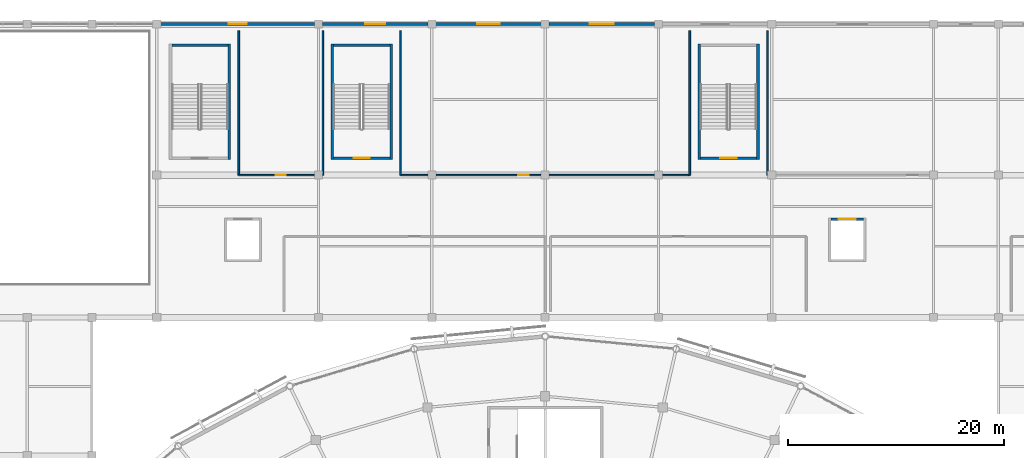
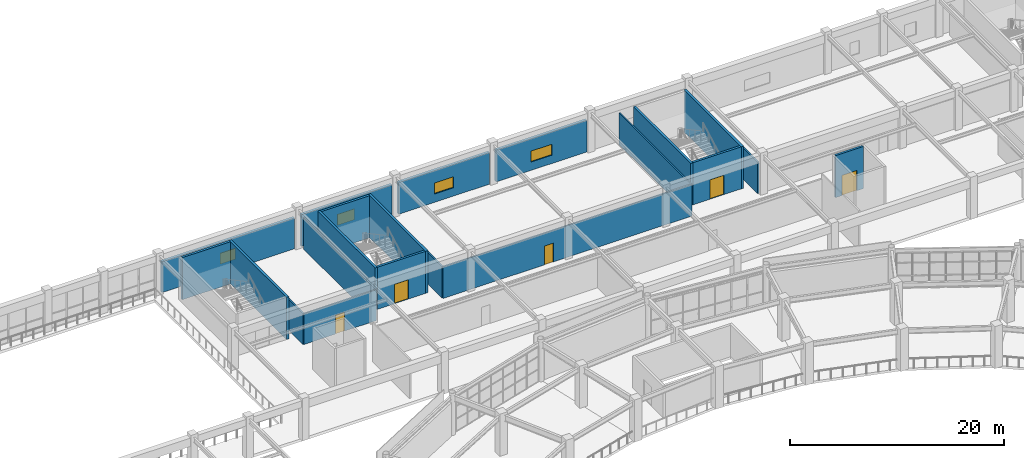
# One storey, part 91 of 112: 21 walls, 5 doors, 4 windows, 9 openings.
"""IFC4 building model written with IfcOpenShell, lengths in metres."""

from ifc_helpers import new_model, si_unit, direction, frame, frame_2d, origin, place, context, subcontext, project, spatial, rectangle, extrude, material, layer, layer_set, type_object, element, fill, save


model = new_model("IFC4")

# Units and contexts
model_context = context("Model", 3, precision=1e-05, world=origin(), true_north=direction((0.0, 1.0)))
body_context = subcontext(model_context, "Body", "Model", "MODEL_VIEW")
ifc_project = project(units=[si_unit("LENGTHUNIT", "METRE"), si_unit("AREAUNIT", "SQUARE_METRE"), si_unit("VOLUMEUNIT", "CUBIC_METRE"), si_unit("PLANEANGLEUNIT", "RADIAN"), si_unit("MASSUNIT", "GRAM", prefix="KILO")], contexts=[model_context])

# Site, building, storey
site_placement = place(None, origin())
site = spatial("IfcSite", under=ifc_project, at=site_placement, CompositionType="ELEMENT")
building_placement = place(site_placement, origin())
building = spatial("IfcBuilding", under=site, at=building_placement, Name="Cuetzalor Civic Arena", CompositionType="ELEMENT")
storey_placement = place(building_placement, frame((0.0, 0.0, 11.39990234375)))
storey = spatial("IfcBuildingStorey", under=building, at=storey_placement, Name="L02", CompositionType="ELEMENT", Elevation=11.39990234375)

# Wall, opening, door
ifc_material_1 = material(Name="Acoustic steel-stud gypsum partition", Category="steel")
ifc_layer_1 = layer(ifc_material_1, 0.14990234375)
ifc_layer_set_1 = layer_set([ifc_layer_1], Name="Acoustic steel-stud gypsum partition")
wall_type_1 = type_object("IfcWallType", Name="AcousticGypsumPartition_150", PredefinedType="PARTITIONING", material=ifc_layer_set_1)
wall_1_placement = place(storey_placement, frame((-20.60009765625, 61.5, 0.0), z_axis=(0.0, 0.0, 1.0), x_axis=(-1.0, 0.0, 0.0)))
wall_1 = element("IfcWall", 1, at=wall_1_placement, inside=storey, type_object=wall_type_1, Name="Interior Partition IWALL:L02:0364", PredefinedType="PARTITIONING", context=body_context, shape_type="SweptSolid", body=[
    extrude(rectangle(XDim=7.7998046875, YDim=0.14990234375, at=frame_2d((3.89990234375, 0.0))), origin(), (0.0, 0.0, 1.0), 3.505126953125),
])
opening_1_placement = place(wall_1_placement, frame((3.425048828125, 0.0, 0.0)))
opening_1 = element("IfcOpeningElement", 2, at=opening_1_placement, cuts=wall_1, Name="Opening ID-03", PredefinedType="OPENING", context=body_context, shape_type="SweptSolid", body=[
    extrude(rectangle(XDim=0.949951171875, YDim=2.14990234375, at=frame_2d((0.47509765625, 1.074951171875))), frame((0.0, 0.0849609375, 0.0), z_axis=(0.0, -1.0, 0.0), x_axis=(1.0, 0.0, 0.0)), (0.0, 0.0, 1.0), 0.169921875),
])
ifc_material_2 = material(Name="Painted steel frame and solid timber leaf", Category="steel")
door_type_1 = type_object("IfcDoorType", Name="InteriorSingleDoor_950x2150", OperationType="NOTDEFINED", PredefinedType="DOOR", material=ifc_material_2)
door_1_placement = place(opening_1_placement, origin())
door_1 = element("IfcDoor", 3, at=door_1_placement, inside=storey, type_object=door_type_1, Name="Door to Venue Administration Office West", OperationType="SINGLE_SWING_RIGHT", OverallHeight=2.14990234375, OverallWidth=0.949951171875, PredefinedType="DOOR", context=body_context, shape_type="SweptSolid", body=[
    extrude(rectangle(XDim=0.949951171875, YDim=2.14990234375, at=frame_2d((0.47509765625, 1.074951171875))), frame((0.0, 0.02490234375, 0.0), z_axis=(0.0, -1.0, 0.0), x_axis=(1.0, 0.0, 0.0)), (0.0, 0.0, 1.0), 0.050048828125),
])
fill(opening_1, door_1)

# Walls
wall_2_placement = place(storey_placement, frame((-20.60009765625, 74.89990234375, 0.0), z_axis=(0.0, 0.0, 1.0), x_axis=(0.0, -1.0, 0.0)))
element("IfcWall", 4, at=wall_2_placement, inside=storey, type_object=wall_type_1, Name="Interior Partition IWALL:L02:0365", PredefinedType="PARTITIONING", context=body_context, shape_type="SweptSolid", body=[
    extrude(rectangle(XDim=13.39990234375, YDim=0.14990234375, at=frame_2d((6.699951171875, 0.0))), origin(), (0.0, 0.0, 1.0), 3.60498046875),
])
wall_3_placement = place(storey_placement, frame((-28.39990234375, 61.5, 0.0), z_axis=(0.0, 0.0, 1.0), x_axis=(0.0, 1.0, 0.0)))
element("IfcWall", 5, at=wall_3_placement, inside=storey, type_object=wall_type_1, Name="Interior Partition IWALL:L02:0366", PredefinedType="PARTITIONING", context=body_context, shape_type="SweptSolid", body=[
    extrude(rectangle(XDim=13.39990234375, YDim=0.14990234375, at=frame_2d((6.699951171875, 0.0))), origin(), (0.0, 0.0, 1.0), 3.505126953125),
])

# Wall, opening, door
wall_4_placement = place(storey_placement, frame((13.39990234375, 61.5, 0.0), z_axis=(0.0, 0.0, 1.0), x_axis=(-1.0, 0.0, 0.0)))
wall_4 = element("IfcWall", 6, at=wall_4_placement, inside=storey, type_object=wall_type_1, Name="Interior Partition IWALL:L02:0367", PredefinedType="PARTITIONING", context=body_context, shape_type="SweptSolid", body=[
    extrude(rectangle(XDim=26.7998046875, YDim=0.14990234375, at=frame_2d((13.39990234375, 0.0))), origin(), (0.0, 0.0, 1.0), 3.60498046875),
])
opening_2_placement = place(wall_4_placement, frame((14.925048828125, 0.0, 0.0)))
opening_2 = element("IfcOpeningElement", 7, at=opening_2_placement, cuts=wall_4, Name="Opening ID-03", PredefinedType="OPENING", context=body_context, shape_type="SweptSolid", body=[
    extrude(rectangle(XDim=0.949951171875, YDim=2.14990234375, at=frame_2d((0.47509765625, 1.074951171875))), frame((0.0, 0.0849609375, 0.0), z_axis=(0.0, -1.0, 0.0), x_axis=(1.0, 0.0, 0.0)), (0.0, 0.0, 1.0), 0.169921875),
])
door_2_placement = place(opening_2_placement, origin())
door_2 = element("IfcDoor", 8, at=door_2_placement, inside=storey, type_object=door_type_1, Name="Door to Venue Administration Office East", OperationType="SINGLE_SWING_LEFT", OverallHeight=2.14990234375, OverallWidth=0.949951171875, PredefinedType="DOOR", context=body_context, shape_type="SweptSolid", body=[
    extrude(rectangle(XDim=0.949951171875, YDim=2.14990234375, at=frame_2d((0.47509765625, 1.074951171875))), frame((0.0, 0.02490234375, 0.0), z_axis=(0.0, -1.0, 0.0), x_axis=(1.0, 0.0, 0.0)), (0.0, 0.0, 1.0), 0.050048828125),
])
fill(opening_2, door_2)

# Walls
for number, where, z_axis, x_axis, name in (
    (9, (13.39990234375, 74.89990234375, 0.0), (0.0, 0.0, 1.0), (0.0, -1.0, 0.0), "Interior Partition IWALL:L02:0368"),
    (10, (-13.39990234375, 61.5, 0.0), (0.0, 0.0, 1.0), (0.0, 1.0, 0.0), "Interior Partition IWALL:L02:0369"),
    (11, (20.60009765625, 61.5, 0.0), (0.0, 0.0, 1.0), (0.0, 1.0, 0.0), "Interior Partition IWALL:L02:0372"),
):
    element("IfcWall", number, at=place(storey_placement, frame(where, z_axis=z_axis, x_axis=x_axis)), inside=storey, type_object=wall_type_1, Name=name, PredefinedType="PARTITIONING", context=body_context, shape_type="SweptSolid", body=[
        extrude(rectangle(XDim=13.39990234375, YDim=0.14990234375, at=frame_2d((6.699951171875, 0.0))), origin(), (0.0, 0.0, 1.0), 3.60498046875),
    ])

# Wall, opening, window
ifc_material_3 = material(Name="Standing-seam charcoal zinc insulated wall", Category="steel")
ifc_layer_2 = layer(ifc_material_3, 0.280029296875)
ifc_layer_set_2 = layer_set([ifc_layer_2], Name="Standing-seam charcoal zinc insulated wall")
wall_type_2 = type_object("IfcWallType", Name="AcousticZincCladWall_280", PredefinedType="SOLIDWALL", material=ifc_layer_set_2)
wall_5_placement = place(storey_placement, frame((-35.64306640625, 75.5, 0.0), z_axis=(0.0, 0.0, 1.0), x_axis=(1.0, 0.0, 0.0)))
wall_5 = element("IfcWall", 12, at=wall_5_placement, inside=storey, type_object=wall_type_2, Name="North Basalt Facade Wall L02-215", PredefinedType="SOLIDWALL", context=body_context, shape_type="SweptSolid", body=[
    extrude(rectangle(XDim=14.2861328125, YDim=0.280029296875, at=frame_2d((7.14306640625, 0.0))), origin(), (0.0, 0.0, 1.0), 3.52001953125),
])
opening_3_placement = place(wall_5_placement, frame((6.318115234375, 0.0, 0.949951171875)))
opening_3 = element("IfcOpeningElement", 13, at=opening_3_placement, cuts=wall_5, Name="Opening WN-04", PredefinedType="OPENING", context=body_context, shape_type="SweptSolid", body=[
    extrude(rectangle(XDim=1.64990234375, YDim=1.25, at=frame_2d((0.824951171875, 0.625))), frame((0.0, 0.14990234375, 0.0), z_axis=(0.0, -1.0, 0.0), x_axis=(1.0, 0.0, 0.0)), (0.0, 0.0, 1.0), 0.300048828125),
])
ifc_material_4 = material(Name="Anodised bronze aluminium and low-E solar glass", Category="aluminium")
window_type_1 = type_object("IfcWindowType", Name="BronzeThermalWindow_1650x1250", PartitioningType="SINGLE_PANEL", PredefinedType="WINDOW", material=ifc_material_4)
window_1_placement = place(opening_3_placement, origin())
window_1 = element("IfcWindow", 14, at=window_1_placement, inside=storey, type_object=window_type_1, Name="North Admin Window L02-0067", OverallHeight=1.25, OverallWidth=1.64990234375, PartitioningType="SINGLE_PANEL", PredefinedType="WINDOW", context=body_context, shape_type="SweptSolid", body=[
    extrude(rectangle(XDim=1.64990234375, YDim=1.25, at=frame_2d((0.824951171875, 0.625))), frame((0.0, 0.030029296875, 0.0), z_axis=(0.0, -1.0, 0.0), x_axis=(1.0, 0.0, 0.0)), (0.0, 0.0, 1.0), 0.06005859375),
])
fill(opening_3, window_1)

wall_6_placement = place(storey_placement, frame((-20.64306640625, 75.5, 0.0), z_axis=(0.0, 0.0, 1.0), x_axis=(1.0, 0.0, 0.0)))
wall_6 = element("IfcWall", 15, at=wall_6_placement, inside=storey, type_object=wall_type_2, Name="North Basalt Facade Wall L02-216", PredefinedType="SOLIDWALL", context=body_context, shape_type="SweptSolid", body=[
    extrude(rectangle(XDim=9.7861328125, YDim=0.280029296875, at=frame_2d((4.89306640625, 0.0))), origin(), (0.0, 0.0, 1.0), 3.6201171875),
])
opening_4_placement = place(wall_6_placement, frame((3.968017578125, 0.0, 0.949951171875)))
opening_4 = element("IfcOpeningElement", 16, at=opening_4_placement, cuts=wall_6, Name="Opening WN-05", PredefinedType="OPENING", context=body_context, shape_type="SweptSolid", body=[
    extrude(rectangle(XDim=1.85009765625, YDim=1.25, at=frame_2d((0.925048828125, 0.625))), frame((0.0, 0.14990234375, 0.0), z_axis=(0.0, -1.0, 0.0), x_axis=(1.0, 0.0, 0.0)), (0.0, 0.0, 1.0), 0.300048828125),
])
ifc_material_5 = material(Name="Anodised bronze aluminium and low-E solar glass", Category="aluminium")
window_type_2 = type_object("IfcWindowType", Name="BronzeThermalWindow_1850x1250", PartitioningType="SINGLE_PANEL", PredefinedType="WINDOW", material=ifc_material_5)
window_2_placement = place(opening_4_placement, origin())
window_2 = element("IfcWindow", 17, at=window_2_placement, inside=storey, type_object=window_type_2, Name="North Admin Window L02-0068", OverallHeight=1.25, OverallWidth=1.85009765625, PartitioningType="SINGLE_PANEL", PredefinedType="WINDOW", context=body_context, shape_type="SweptSolid", body=[
    extrude(rectangle(XDim=1.85009765625, YDim=1.25, at=frame_2d((0.925048828125, 0.625))), frame((0.0, 0.030029296875, 0.0), z_axis=(0.0, -1.0, 0.0), x_axis=(1.0, 0.0, 0.0)), (0.0, 0.0, 1.0), 0.06005859375),
])
fill(opening_4, window_2)

wall_7_placement = place(storey_placement, frame((-10.14306640625, 75.5, 0.0), z_axis=(0.0, 0.0, 1.0), x_axis=(1.0, 0.0, 0.0)))
wall_7 = element("IfcWall", 18, at=wall_7_placement, inside=storey, type_object=wall_type_2, Name="North Basalt Facade Wall L02-217", PredefinedType="SOLIDWALL", context=body_context, shape_type="SweptSolid", body=[
    extrude(rectangle(XDim=9.7861328125, YDim=0.280029296875, at=frame_2d((4.89306640625, 0.0))), origin(), (0.0, 0.0, 1.0), 3.6201171875),
])
opening_5_placement = place(wall_7_placement, frame((3.867919921875, 0.0, 0.949951171875)))
opening_5 = element("IfcOpeningElement", 19, at=opening_5_placement, cuts=wall_7, Name="Opening WN-06", PredefinedType="OPENING", context=body_context, shape_type="SweptSolid", body=[
    extrude(rectangle(XDim=2.050048828125, YDim=1.25, at=frame_2d((1.02490234375, 0.625))), frame((0.0, 0.14990234375, 0.0), z_axis=(0.0, -1.0, 0.0), x_axis=(1.0, 0.0, 0.0)), (0.0, 0.0, 1.0), 0.300048828125),
])
ifc_material_6 = material(Name="Anodised bronze aluminium and low-E solar glass", Category="aluminium")
window_type_3 = type_object("IfcWindowType", Name="BronzeThermalWindow_2050x1250", PartitioningType="DOUBLE_PANEL_VERTICAL", PredefinedType="WINDOW", material=ifc_material_6)
window_3_placement = place(opening_5_placement, origin())
window_3 = element("IfcWindow", 20, at=window_3_placement, inside=storey, type_object=window_type_3, Name="North Admin Window L02-0069", OverallHeight=1.25, OverallWidth=2.050048828125, PartitioningType="SINGLE_PANEL", PredefinedType="WINDOW", context=body_context, shape_type="SweptSolid", body=[
    extrude(rectangle(XDim=2.050048828125, YDim=1.25, at=frame_2d((1.02490234375, 0.625))), frame((0.0, 0.030029296875, 0.0), z_axis=(0.0, -1.0, 0.0), x_axis=(1.0, 0.0, 0.0)), (0.0, 0.0, 1.0), 0.06005859375),
])
fill(opening_5, window_3)

wall_8_placement = place(storey_placement, frame((0.35693359375, 75.5, 0.0), z_axis=(0.0, 0.0, 1.0), x_axis=(1.0, 0.0, 0.0)))
wall_8 = element("IfcWall", 21, at=wall_8_placement, inside=storey, type_object=wall_type_2, Name="North Basalt Facade Wall L02-218", PredefinedType="SOLIDWALL", context=body_context, shape_type="SweptSolid", body=[
    extrude(rectangle(XDim=9.7861328125, YDim=0.280029296875, at=frame_2d((4.89306640625, 0.0))), origin(), (0.0, 0.0, 1.0), 3.6201171875),
])
opening_6_placement = place(wall_8_placement, frame((3.76806640625, 0.0, 0.949951171875)))
opening_6 = element("IfcOpeningElement", 22, at=opening_6_placement, cuts=wall_8, Name="Opening WN-07", PredefinedType="OPENING", context=body_context, shape_type="SweptSolid", body=[
    extrude(rectangle(XDim=2.25, YDim=1.25, at=frame_2d((1.125, 0.625))), frame((0.0, 0.14990234375, 0.0), z_axis=(0.0, -1.0, 0.0), x_axis=(1.0, 0.0, 0.0)), (0.0, 0.0, 1.0), 0.300048828125),
])
ifc_material_7 = material(Name="Anodised bronze aluminium and low-E solar glass", Category="aluminium")
window_type_4 = type_object("IfcWindowType", Name="BronzeThermalWindow_2250x1250", PartitioningType="DOUBLE_PANEL_VERTICAL", PredefinedType="WINDOW", material=ifc_material_7)
window_4_placement = place(opening_6_placement, origin())
window_4 = element("IfcWindow", 23, at=window_4_placement, inside=storey, type_object=window_type_4, Name="North Admin Window L02-0070", OverallHeight=1.25, OverallWidth=2.25, PartitioningType="SINGLE_PANEL", PredefinedType="WINDOW", context=body_context, shape_type="SweptSolid", body=[
    extrude(rectangle(XDim=2.25, YDim=1.25, at=frame_2d((1.125, 0.625))), frame((0.0, 0.030029296875, 0.0), z_axis=(0.0, -1.0, 0.0), x_axis=(1.0, 0.0, 0.0)), (0.0, 0.0, 1.0), 0.06005859375),
])
fill(opening_6, window_4)

# Walls
ifc_material_8 = material(Name="Concrete C40/50", Category="concrete")
ifc_layer_3 = layer(ifc_material_8, 0.25)
ifc_layer_set_3 = layer_set([ifc_layer_3], Name="Concrete C40/50")
wall_type_3 = type_object("IfcWallType", Name="ConcreteCoreShearWall_250", PredefinedType="SHEAR", material=ifc_layer_set_3)
wall_9_placement = place(storey_placement, frame((-34.60009765625, 73.52490234375, 0.0), z_axis=(0.0, 0.0, 1.0), x_axis=(1.0, 0.0, 0.0)))
element("IfcWall", 24, at=wall_9_placement, inside=storey, type_object=wall_type_3, Name="Stair Core Shear Wall ST-24-L02-N", PredefinedType="SHEAR", context=body_context, shape_type="SweptSolid", body=[
    extrude(rectangle(XDim=5.2001953125, YDim=0.25, at=frame_2d((2.60009765625, 0.0))), origin(), (0.0, 0.0, 1.0), 4.800048828125),
])
for number, where, z_axis, x_axis, name in (
    (25, (-29.27490234375, 73.64990234375, 0.0), (0.0, 0.0, 1.0), (0.0, -1.0, 0.0), "Stair Core Shear Wall ST-24-L02-E"),
    (26, (-19.72509765625, 62.949951171875, 0.0), (0.0, 0.0, 1.0), (0.0, 1.0, 0.0), "Stair Core Shear Wall ST-25-L02-W"),
):
    element("IfcWall", number, at=place(storey_placement, frame(where, z_axis=z_axis, x_axis=x_axis)), inside=storey, type_object=wall_type_3, Name=name, PredefinedType="SHEAR", context=body_context, shape_type="SweptSolid", body=[
        extrude(rectangle(XDim=10.699951171875, YDim=0.25, at=frame_2d((5.35009765625, 0.0))), origin(), (0.0, 0.0, 1.0), 4.800048828125),
    ])
wall_10_placement = place(storey_placement, frame((-19.60009765625, 73.52490234375, 0.0), z_axis=(0.0, 0.0, 1.0), x_axis=(1.0, 0.0, 0.0)))
element("IfcWall", 27, at=wall_10_placement, inside=storey, type_object=wall_type_3, Name="Stair Core Shear Wall ST-25-L02-N", PredefinedType="SHEAR", context=body_context, shape_type="SweptSolid", body=[
    extrude(rectangle(XDim=5.2001953125, YDim=0.25, at=frame_2d((2.60009765625, 0.0))), origin(), (0.0, 0.0, 1.0), 4.800048828125),
])
wall_11_placement = place(storey_placement, frame((-14.27490234375, 73.64990234375, 0.0), z_axis=(0.0, 0.0, 1.0), x_axis=(0.0, -1.0, 0.0)))
element("IfcWall", 28, at=wall_11_placement, inside=storey, type_object=wall_type_3, Name="Stair Core Shear Wall ST-25-L02-E", PredefinedType="SHEAR", context=body_context, shape_type="SweptSolid", body=[
    extrude(rectangle(XDim=10.699951171875, YDim=0.25, at=frame_2d((5.35009765625, 0.0))), origin(), (0.0, 0.0, 1.0), 4.800048828125),
])

# Wall, opening, door
wall_12_placement = place(storey_placement, frame((-14.39990234375, 63.074951171875, 0.0), z_axis=(0.0, 0.0, 1.0), x_axis=(-1.0, 0.0, 0.0)))
wall_12 = element("IfcWall", 29, at=wall_12_placement, inside=storey, type_object=wall_type_3, Name="Stair Core Shear Wall ST-25-L02-S", PredefinedType="SHEAR", context=body_context, shape_type="SweptSolid", body=[
    extrude(rectangle(XDim=5.2001953125, YDim=0.25, at=frame_2d((2.60009765625, 0.0))), origin(), (0.0, 0.0, 1.0), 4.800048828125),
])
opening_7_placement = place(wall_12_placement, frame((1.85009765625, 0.0, 0.0)))
opening_7 = element("IfcOpeningElement", 30, at=opening_7_placement, cuts=wall_12, Name="Opening FD-03", PredefinedType="OPENING", context=body_context, shape_type="SweptSolid", body=[
    extrude(rectangle(XDim=1.5, YDim=2.199951171875, at=frame_2d((0.75, 1.10009765625))), frame((0.0, 0.135009765625, 0.0), z_axis=(0.0, -1.0, 0.0), x_axis=(1.0, 0.0, 0.0)), (0.0, 0.0, 1.0), 0.27001953125),
])
ifc_material_9 = material(Name="Fire-rated steel stair exit double door", Category="steel")
door_type_2 = type_object("IfcDoorType", Name="StairFireDoubleDoor_1500x2200", OperationType="DOUBLE_DOOR_SINGLE_SWING", PredefinedType="DOOR", material=ifc_material_9)
door_3_placement = place(opening_7_placement, origin())
door_3 = element("IfcDoor", 31, at=door_3_placement, inside=storey, type_object=door_type_2, Name="Fire Stair Door ST-25 L02", OperationType="DOUBLE_DOOR_SINGLE_SWING", OverallHeight=2.199951171875, OverallWidth=1.5, PredefinedType="DOOR", context=body_context, shape_type="SweptSolid", body=[
    extrude(rectangle(XDim=1.5, YDim=2.199951171875, at=frame_2d((0.75, 1.10009765625))), frame((0.0, 0.02490234375, 0.0), z_axis=(0.0, -1.0, 0.0), x_axis=(1.0, 0.0, 0.0)), (0.0, 0.0, 1.0), 0.050048828125),
])
fill(opening_7, door_3)

# Walls
for number, where, z_axis, x_axis, name in (
    (32, (14.27490234375, 62.949951171875, 0.0), (0.0, 0.0, 1.0), (0.0, 1.0, 0.0), "Stair Core Shear Wall ST-26-L02-W"),
    (33, (19.72509765625, 73.64990234375, 0.0), (0.0, 0.0, 1.0), (0.0, -1.0, 0.0), "Stair Core Shear Wall ST-26-L02-E"),
):
    element("IfcWall", number, at=place(storey_placement, frame(where, z_axis=z_axis, x_axis=x_axis)), inside=storey, type_object=wall_type_3, Name=name, PredefinedType="SHEAR", context=body_context, shape_type="SweptSolid", body=[
        extrude(rectangle(XDim=10.699951171875, YDim=0.25, at=frame_2d((5.35009765625, 0.0))), origin(), (0.0, 0.0, 1.0), 4.800048828125),
    ])

# Wall, opening, door
wall_13_placement = place(storey_placement, frame((19.60009765625, 63.074951171875, 0.0), z_axis=(0.0, 0.0, 1.0), x_axis=(-1.0, 0.0, 0.0)))
wall_13 = element("IfcWall", 34, at=wall_13_placement, inside=storey, type_object=wall_type_3, Name="Stair Core Shear Wall ST-26-L02-S", PredefinedType="SHEAR", context=body_context, shape_type="SweptSolid", body=[
    extrude(rectangle(XDim=5.2001953125, YDim=0.25, at=frame_2d((2.60009765625, 0.0))), origin(), (0.0, 0.0, 1.0), 4.800048828125),
])
opening_8_placement = place(wall_13_placement, frame((1.85009765625, 0.0, 0.0)))
opening_8 = element("IfcOpeningElement", 35, at=opening_8_placement, cuts=wall_13, Name="Opening FD-03", PredefinedType="OPENING", context=body_context, shape_type="SweptSolid", body=[
    extrude(rectangle(XDim=1.5, YDim=2.199951171875, at=frame_2d((0.75, 1.10009765625))), frame((0.0, 0.135009765625, 0.0), z_axis=(0.0, -1.0, 0.0), x_axis=(1.0, 0.0, 0.0)), (0.0, 0.0, 1.0), 0.27001953125),
])
door_4_placement = place(opening_8_placement, origin())
door_4 = element("IfcDoor", 36, at=door_4_placement, inside=storey, type_object=door_type_2, Name="Fire Stair Door ST-26 L02", OperationType="DOUBLE_DOOR_SINGLE_SWING", OverallHeight=2.199951171875, OverallWidth=1.5, PredefinedType="DOOR", context=body_context, shape_type="SweptSolid", body=[
    extrude(rectangle(XDim=1.5, YDim=2.199951171875, at=frame_2d((0.75, 1.10009765625))), frame((0.0, 0.02490234375, 0.0), z_axis=(0.0, -1.0, 0.0), x_axis=(1.0, 0.0, 0.0)), (0.0, 0.0, 1.0), 0.050048828125),
])
fill(opening_8, door_4)

ifc_material_10 = material(Name="Concrete C40/50", Category="concrete")
ifc_layer_4 = layer(ifc_material_10, 0.219970703125)
ifc_layer_set_4 = layer_set([ifc_layer_4], Name="Concrete C40/50")
wall_type_4 = type_object("IfcWallType", Name="LiftShaftShearWall_220", PredefinedType="SHEAR", material=ifc_layer_set_4)
wall_14_placement = place(storey_placement, frame((26.5, 57.409912109375, 0.0), z_axis=(0.0, 0.0, 1.0), x_axis=(1.0, 0.0, 0.0)))
wall_14 = element("IfcWall", 37, at=wall_14_placement, inside=storey, type_object=wall_type_4, Name="Lift Shaft Wall LS-02-L02-N", PredefinedType="SHEAR", context=body_context, shape_type="SweptSolid", body=[
    extrude(rectangle(XDim=3.0, YDim=0.219970703125, at=frame_2d((1.5, 0.0))), origin(), (0.0, 0.0, 1.0), 4.800048828125),
])
opening_9_placement = place(wall_14_placement, frame((0.699951171875, 0.0, 0.0)))
opening_9 = element("IfcOpeningElement", 38, at=opening_9_placement, cuts=wall_14, Name="Opening LD-03", PredefinedType="OPENING", context=body_context, shape_type="SweptSolid", body=[
    extrude(rectangle(XDim=1.60009765625, YDim=2.300048828125, at=frame_2d((0.800048828125, 1.14990234375))), frame((0.0, 0.1201171875, 0.0), z_axis=(0.0, -1.0, 0.0), x_axis=(1.0, 0.0, 0.0)), (0.0, 0.0, 1.0), 0.239990234375),
])
ifc_material_11 = material(Name="Heavy freight stainless steel sliding lift landing door", Category="steel")
door_type_3 = type_object("IfcDoorType", Name="LiftLandingSlidingDoor_1600x2300", OperationType="SLIDING_TO_LEFT", PredefinedType="DOOR", material=ifc_material_11)
door_5_placement = place(opening_9_placement, origin())
door_5 = element("IfcDoor", 39, at=door_5_placement, inside=storey, type_object=door_type_3, Name="Lift Landing Sliding Door LS-02 L02", OperationType="SLIDING_TO_LEFT", OverallHeight=2.300048828125, OverallWidth=1.60009765625, PredefinedType="DOOR", context=body_context, shape_type="SweptSolid", body=[
    extrude(rectangle(XDim=1.60009765625, YDim=2.300048828125, at=frame_2d((0.800048828125, 1.14990234375))), frame((0.0, 0.02490234375, 0.0), z_axis=(0.0, -1.0, 0.0), x_axis=(1.0, 0.0, 0.0)), (0.0, 0.0, 1.0), 0.050048828125),
])
fill(opening_9, door_5)

save(model, "model.ifc")
